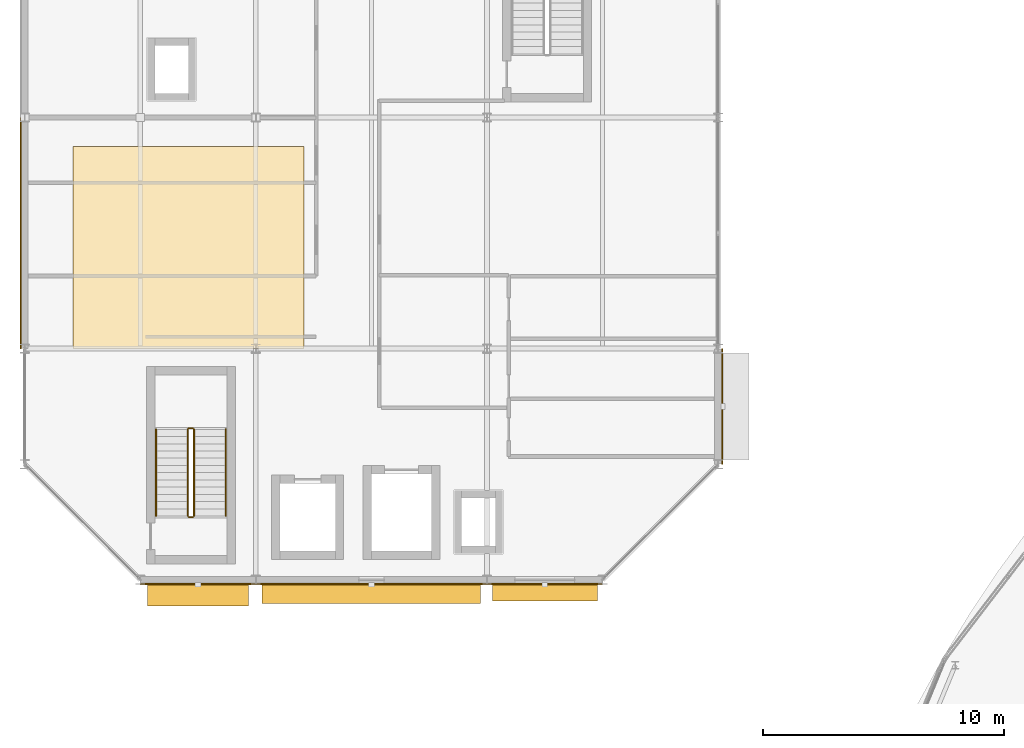
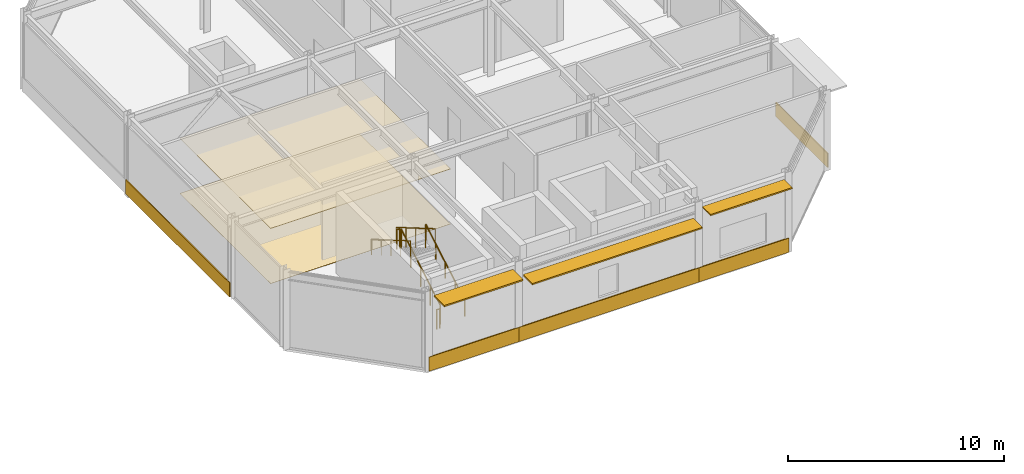
# One storey, part 103 of 116: 7 coverings, 6 railings, 3 shading devices.
"""IFC4 building model written with IfcOpenShell, lengths in metres."""

from ifc_helpers import new_model, si_unit, direction, frame, origin, origin_2d, place, context, subcontext, project, spatial, polyline, rectangle, circle, outline, extrude, material, layer, layer_set, type_object, element, save


model = new_model("IFC4")

# Units and contexts
model_context = context("Model", 3, precision=1e-05, world=origin(), true_north=direction((0.0, 1.0)))
body_context = subcontext(model_context, "Body", "Model", "MODEL_VIEW")
ifc_project = project(units=[si_unit("LENGTHUNIT", "METRE"), si_unit("AREAUNIT", "SQUARE_METRE"), si_unit("VOLUMEUNIT", "CUBIC_METRE"), si_unit("PLANEANGLEUNIT", "RADIAN"), si_unit("MASSUNIT", "GRAM", prefix="KILO")], contexts=[model_context])

# Site, building, storey
site_placement = place(None, origin())
site = spatial("IfcSite", under=ifc_project, at=site_placement, CompositionType="ELEMENT")
building_placement = place(site_placement, origin())
building = spatial("IfcBuilding", under=site, at=building_placement, Name="Almandine Court Research Institute", CompositionType="ELEMENT")
storey_placement = place(building_placement, frame((0.0, 0.0, 14.35009765625)))
storey = spatial("IfcBuildingStorey", under=building, at=storey_placement, Name="L03", CompositionType="ELEMENT", Elevation=14.35009765625)

# Coverings
ifc_material_1 = material(Name="Mineral Fibre Acoustic Suspended Ceiling Tile")
ifc_layer_1 = layer(ifc_material_1, 0.02490234375)
ifc_layer_set_1 = layer_set([ifc_layer_1], Name="Mineral Fibre Acoustic Suspended Ceiling Tile")
covering_type_1 = type_object("IfcCoveringType", Name="Cov-CEIL-ACOU", PredefinedType="CEILING", material=ifc_layer_set_1)
covering_1_placement = place(storey_placement, frame((0.0, 0.0, 3.099853515625)))
element("IfcCovering", 1, at=covering_1_placement, inside=storey, type_object=covering_type_1, Name="L03 Cleanroom and Laboratory Suspended Ceiling", PredefinedType="CEILING", context=body_context, shape_type="SweptSolid", body=[
    extrude(outline(polyline([(8.0, 93.60009765625), (17.60009765625, 93.60009765625), (17.60009765625, 102.0), (8.0, 102.0), (8.0, 93.60009765625)])), origin(), (0.0, 0.0, 1.0), 0.025146484375),
])
ifc_material_2 = material(Name="Extruded Cream-Ochre Seismic Terracotta Spandrel", Category="masonry")
ifc_layer_2 = layer(ifc_material_2, 0.054931640625)
ifc_layer_set_2 = layer_set([ifc_layer_2], Name="Extruded Cream-Ochre Seismic Terracotta Spandrel")
covering_type_2 = type_object("IfcCoveringType", Name="Cov-CLAD-TERR", PredefinedType="CLADDING", material=ifc_layer_set_2)
covering_2_placement = place(storey_placement, frame((5.830078125, 98.39990234375, 0.02001953125), z_axis=(0.0, 0.0, 1.0), x_axis=(0.0, 1.0, 0.0)))
element("IfcCovering", 2, at=covering_2_placement, inside=storey, type_object=covering_type_2, Name="L03 Facade Spandrel Cladding Band 67", PredefinedType="CLADDING", context=body_context, shape_type="SweptSolid", body=[
    extrude(rectangle(XDim=9.592041015625, YDim=0.054931640625, at=origin_2d()), origin(), (0.0, 0.0, 1.0), 0.800048828125),
])
for number, where, z_axis, x_axis, name in (
    (3, (34.969970703125, 91.199951171875, 0.02001953125), (0.0, 0.0, 1.0), (0.0, -1.0, 0.0), "L03 Facade Spandrel Cladding Band 72"),
    (4, (27.60009765625, 83.8291015625, 0.02001953125), (0.0, 0.0, 1.0), (-1.0, 0.0, 0.0), "L03 Facade Spandrel Cladding Band 73"),
):
    element("IfcCovering", number, at=place(storey_placement, frame(where, z_axis=z_axis, x_axis=x_axis)), inside=storey, type_object=covering_type_2, Name=name, PredefinedType="CLADDING", context=body_context, shape_type="SweptSolid", body=[
        extrude(rectangle(XDim=4.7919921875, YDim=0.054931640625, at=origin_2d()), origin(), (0.0, 0.0, 1.0), 0.800048828125),
    ])
covering_3_placement = place(storey_placement, frame((20.39990234375, 83.8291015625, 0.02001953125), z_axis=(0.0, 0.0, 1.0), x_axis=(-1.0, 0.0, 0.0)))
element("IfcCovering", 5, at=covering_3_placement, inside=storey, type_object=covering_type_2, Name="L03 Facade Spandrel Cladding Band 74", PredefinedType="CLADDING", context=body_context, shape_type="SweptSolid", body=[
    extrude(rectangle(XDim=9.592041015625, YDim=0.054931640625, at=origin_2d()), origin(), (0.0, 0.0, 1.0), 0.800048828125),
])
covering_4_placement = place(storey_placement, frame((13.199951171875, 83.8291015625, 0.02001953125), z_axis=(0.0, 0.0, 1.0), x_axis=(-1.0, 0.0, 0.0)))
element("IfcCovering", 6, at=covering_4_placement, inside=storey, type_object=covering_type_2, Name="L03 Facade Spandrel Cladding Band 75", PredefinedType="CLADDING", context=body_context, shape_type="SweptSolid", body=[
    extrude(rectangle(XDim=4.7919921875, YDim=0.054931640625, at=origin_2d()), origin(), (0.0, 0.0, 1.0), 0.800048828125),
])
ifc_material_3 = material(Name="Seamless Chemical-Resistant Cleanroom Epoxy Flooring")
ifc_layer_3 = layer(ifc_material_3, 0.011962890625)
ifc_layer_set_3 = layer_set([ifc_layer_3], Name="Seamless Chemical-Resistant Cleanroom Epoxy Flooring")
covering_type_3 = type_object("IfcCoveringType", Name="Cov-FLR-EPOXY", PredefinedType="FLOORING", material=ifc_layer_set_3)
covering_5_placement = place(storey_placement, origin())
element("IfcCovering", 7, at=covering_5_placement, inside=storey, type_object=covering_type_3, Name="L03 Cleanroom Seamless Epoxy Flooring", PredefinedType="FLOORING", context=body_context, shape_type="SweptSolid", body=[
    extrude(outline(polyline([(8.0, 93.60009765625), (17.60009765625, 93.60009765625), (17.60009765625, 102.0), (8.0, 102.0), (8.0, 93.60009765625)])), origin(), (0.0, 0.0, 1.0), 0.011962890625),
])

# Railings
ifc_material_4 = material(Name="Powder-Coated Steel Stair and Atrium Balustrade", Category="steel")
railing_type_1 = type_object("IfcRailingType", Name="Rail-GUARD-INT", PredefinedType="BALUSTRADE", material=ifc_material_4)
railing_1_placement = place(storey_placement, frame((13.030029296875, 86.64990234375, 0.1748046875)))
element("IfcRailing", 8, at=railing_1_placement, inside=storey, type_object=railing_type_1, Name="L03 ST-05 stair guard 1", PredefinedType="BALUSTRADE", context=body_context, shape_type="SweptSolid", body=[
    extrude(circle(Radius=0.02392578125, at=origin_2d()), frame((0.0, 0.0, 1.09619140625), z_axis=(0.0, 0.863774651768, 0.503878309678), x_axis=(-1.0, 0.0, 0.0)), (0.0, 0.0, 1.0), 4.16796875),
    extrude(circle(Radius=0.02099609375, at=origin_2d()), origin(), (0.0, 0.0, 1.0), 1.072021484375),
    extrude(circle(Radius=0.02099609375, at=origin_2d()), frame((0.0, 0.89990234375, 0.52490234375)), (0.0, 0.0, 1.0), 1.072021484375),
    extrude(circle(Radius=0.02099609375, at=origin_2d()), frame((0.0, 1.800048828125, 1.050048828125)), (0.0, 0.0, 1.0), 1.072021484375),
    extrude(circle(Radius=0.02099609375, at=origin_2d()), frame((0.0, 2.7001953125, 1.5751953125)), (0.0, 0.0, 1.0), 1.072021484375),
    extrude(circle(Radius=0.02099609375, at=origin_2d()), frame((0.0, 3.60009765625, 2.10009765625)), (0.0, 0.0, 1.0), 1.072021484375),
])
railing_2_placement = place(storey_placement, frame((12.97998046875, 90.300048828125, 2.27490234375)))
element("IfcRailing", 9, at=railing_2_placement, inside=storey, type_object=railing_type_1, Name="L03 ST-05 stair guard 2", PredefinedType="BALUSTRADE", context=body_context, shape_type="SweptSolid", body=[
    extrude(circle(Radius=0.02392578125, at=origin_2d()), frame((0.0, 0.0, 1.09619140625), z_axis=(-1.0, 0.0, 0.0), x_axis=(0.0, -1.0, 0.0)), (0.0, 0.0, 1.0), 0.159912109375),
    extrude(circle(Radius=0.02099609375, at=origin_2d()), origin(), (0.0, 0.0, 1.0), 1.072021484375),
    extrude(circle(Radius=0.02099609375, at=origin_2d()), frame((-0.159912109375, 0.0, 0.0)), (0.0, 0.0, 1.0), 1.072021484375),
])
railing_3_placement = place(storey_placement, frame((12.77001953125, 90.25, 2.449951171875)))
element("IfcRailing", 10, at=railing_3_placement, inside=storey, type_object=railing_type_1, Name="L03 ST-05 stair guard 3", PredefinedType="BALUSTRADE", context=body_context, shape_type="SweptSolid", body=[
    extrude(circle(Radius=0.02392578125, at=origin_2d()), frame((0.0, 0.0, 1.09619140625), z_axis=(0.0, -0.863800146258, 0.503834603144), x_axis=(1.0, 0.0, 0.0)), (0.0, 0.0, 1.0), 4.167724609375),
    extrude(circle(Radius=0.02099609375, at=origin_2d()), origin(), (0.0, 0.0, 1.0), 1.072021484375),
    extrude(circle(Radius=0.02099609375, at=origin_2d()), frame((0.0, -0.89990234375, 0.52490234375)), (0.0, 0.0, 1.0), 1.072021484375),
    extrude(circle(Radius=0.02099609375, at=origin_2d()), frame((0.0, -1.800048828125, 1.0498046875)), (0.0, 0.0, 1.0), 1.072021484375),
    extrude(circle(Radius=0.02099609375, at=origin_2d()), frame((0.0, -2.7001953125, 1.574951171875)), (0.0, 0.0, 1.0), 1.072021484375),
    extrude(circle(Radius=0.02099609375, at=origin_2d()), frame((0.0, -3.60009765625, 2.099853515625)), (0.0, 0.0, 1.0), 1.072021484375),
])
railing_4_placement = place(storey_placement, frame((12.97998046875, 86.60009765625, 0.0)))
element("IfcRailing", 11, at=railing_4_placement, inside=storey, type_object=railing_type_1, Name="L03 ST-05 stair guard 4", PredefinedType="BALUSTRADE", context=body_context, shape_type="SweptSolid", body=[
    extrude(circle(Radius=0.02392578125, at=origin_2d()), frame((0.0, 0.0, 1.09619140625), z_axis=(-1.0, 0.0, 0.0), x_axis=(0.0, -1.0, 0.0)), (0.0, 0.0, 1.0), 0.159912109375),
    extrude(circle(Radius=0.02099609375, at=origin_2d()), origin(), (0.0, 0.0, 1.0), 1.072021484375),
    extrude(circle(Radius=0.02099609375, at=origin_2d()), frame((-0.159912109375, 0.0, 0.0)), (0.0, 0.0, 1.0), 1.072021484375),
])
ifc_material_5 = material(Name="Brushed Stainless Steel Wall Handrail", Category="steel")
railing_type_2 = type_object("IfcRailingType", Name="Rail-HAND-INT", PredefinedType="HANDRAIL", material=ifc_material_5)
railing_5_placement = place(storey_placement, frame((14.35009765625, 86.64990234375, 0.1748046875)))
element("IfcRailing", 12, at=railing_5_placement, inside=storey, type_object=railing_type_2, Name="L03 ST-05 stair handrail 1", PredefinedType="HANDRAIL", context=body_context, shape_type="SweptSolid", body=[
    extrude(circle(Radius=0.02392578125, at=origin_2d()), frame((0.0, 0.0, 0.8759765625), z_axis=(0.0, 0.863774651768, 0.503878309678), x_axis=(-1.0, 0.0, 0.0)), (0.0, 0.0, 1.0), 4.16796875),
    extrude(circle(Radius=0.02099609375, at=origin_2d()), origin(), (0.0, 0.0, 1.0), 0.851806640625),
    extrude(circle(Radius=0.02099609375, at=origin_2d()), frame((0.0, 0.89990234375, 0.52490234375)), (0.0, 0.0, 1.0), 0.851806640625),
    extrude(circle(Radius=0.02099609375, at=origin_2d()), frame((0.0, 1.800048828125, 1.050048828125)), (0.0, 0.0, 1.0), 0.851806640625),
    extrude(circle(Radius=0.02099609375, at=origin_2d()), frame((0.0, 2.7001953125, 1.5751953125)), (0.0, 0.0, 1.0), 0.851806640625),
    extrude(circle(Radius=0.02099609375, at=origin_2d()), frame((0.0, 3.60009765625, 2.10009765625)), (0.0, 0.0, 1.0), 0.851806640625),
])
railing_6_placement = place(storey_placement, frame((11.449951171875, 90.25, 2.449951171875)))
element("IfcRailing", 13, at=railing_6_placement, inside=storey, type_object=railing_type_2, Name="L03 ST-05 stair handrail 2", PredefinedType="HANDRAIL", context=body_context, shape_type="SweptSolid", body=[
    extrude(circle(Radius=0.02392578125, at=origin_2d()), frame((0.0, 0.0, 0.8759765625), z_axis=(0.0, -0.863800146258, 0.503834603144), x_axis=(1.0, 0.0, 0.0)), (0.0, 0.0, 1.0), 4.167724609375),
    extrude(circle(Radius=0.02099609375, at=origin_2d()), origin(), (0.0, 0.0, 1.0), 0.851806640625),
    extrude(circle(Radius=0.02099609375, at=origin_2d()), frame((0.0, -0.89990234375, 0.52490234375)), (0.0, 0.0, 1.0), 0.851806640625),
    extrude(circle(Radius=0.02099609375, at=origin_2d()), frame((0.0, -1.800048828125, 1.0498046875)), (0.0, 0.0, 1.0), 0.851806640625),
    extrude(circle(Radius=0.02099609375, at=origin_2d()), frame((0.0, -2.7001953125, 1.574951171875)), (0.0, 0.0, 1.0), 0.851806640625),
    extrude(circle(Radius=0.02099609375, at=origin_2d()), frame((0.0, -3.60009765625, 2.099853515625)), (0.0, 0.0, 1.0), 0.851806640625),
])

# Shading devices
ifc_material_6 = material(Name="Precast GFRC Chhajja Sunshade and Acoustic Louvre", Category="concrete")
ifc_layer_4 = layer(ifc_material_6, 0.080078125)
ifc_layer_set_4 = layer_set([ifc_layer_4], Name="Precast GFRC Chhajja Sunshade and Acoustic Louvre")
shading_device_type_1 = type_object("IfcShadingDeviceType", Name="Shd-SD-30", PredefinedType="AWNING", material=ifc_layer_set_4)
shading_device_1_placement = place(storey_placement, frame((27.60009765625, 83.489990234375, 4.08984375), z_axis=(0.0, 0.0, 1.0), x_axis=(-1.0, 0.0, 0.0)))
element("IfcShadingDevice", 14, at=shading_device_1_placement, inside=storey, type_object=shading_device_type_1, Name="L03 Projecting Chhajja Sunshade 41", PredefinedType="AWNING", context=body_context, shape_type="SweptSolid", body=[
    extrude(rectangle(XDim=4.362060546875, YDim=0.75, at=origin_2d()), origin(), (0.0, 0.0, 1.0), 0.080078125),
])
ifc_layer_5 = layer(ifc_material_6, 0.080078125)
ifc_layer_set_5 = layer_set([ifc_layer_5], Name="Precast GFRC Chhajja Sunshade and Acoustic Louvre")
shading_device_type_2 = type_object("IfcShadingDeviceType", Name="Shd-SD-31", PredefinedType="AWNING", material=ifc_layer_set_5)
shading_device_2_placement = place(storey_placement, frame((20.39990234375, 83.43994140625, 3.603759765625), z_axis=(0.0, 0.0, 1.0), x_axis=(-1.0, 0.0, 0.0)))
element("IfcShadingDevice", 15, at=shading_device_2_placement, inside=storey, type_object=shading_device_type_2, Name="L03 Projecting Chhajja Sunshade 42", PredefinedType="AWNING", context=body_context, shape_type="SweptSolid", body=[
    extrude(rectangle(XDim=9.08203125, YDim=0.85009765625, at=origin_2d()), origin(), (0.0, 0.0, 1.0), 0.080078125),
])
ifc_layer_6 = layer(ifc_material_6, 0.080078125)
ifc_layer_set_6 = layer_set([ifc_layer_6], Name="Precast GFRC Chhajja Sunshade and Acoustic Louvre")
shading_device_type_3 = type_object("IfcShadingDeviceType", Name="Shd-SD-32", PredefinedType="AWNING", material=ifc_layer_set_6)
shading_device_3_placement = place(storey_placement, frame((13.199951171875, 83.389892578125, 4.08984375), z_axis=(0.0, 0.0, 1.0), x_axis=(-1.0, 0.0, 0.0)))
element("IfcShadingDevice", 16, at=shading_device_3_placement, inside=storey, type_object=shading_device_type_3, Name="L03 Projecting Chhajja Sunshade 43", PredefinedType="AWNING", context=body_context, shape_type="SweptSolid", body=[
    extrude(rectangle(XDim=4.201904296875, YDim=0.949951171875, at=origin_2d()), origin(), (0.0, 0.0, 1.0), 0.080078125),
])

save(model, "model.ifc")
